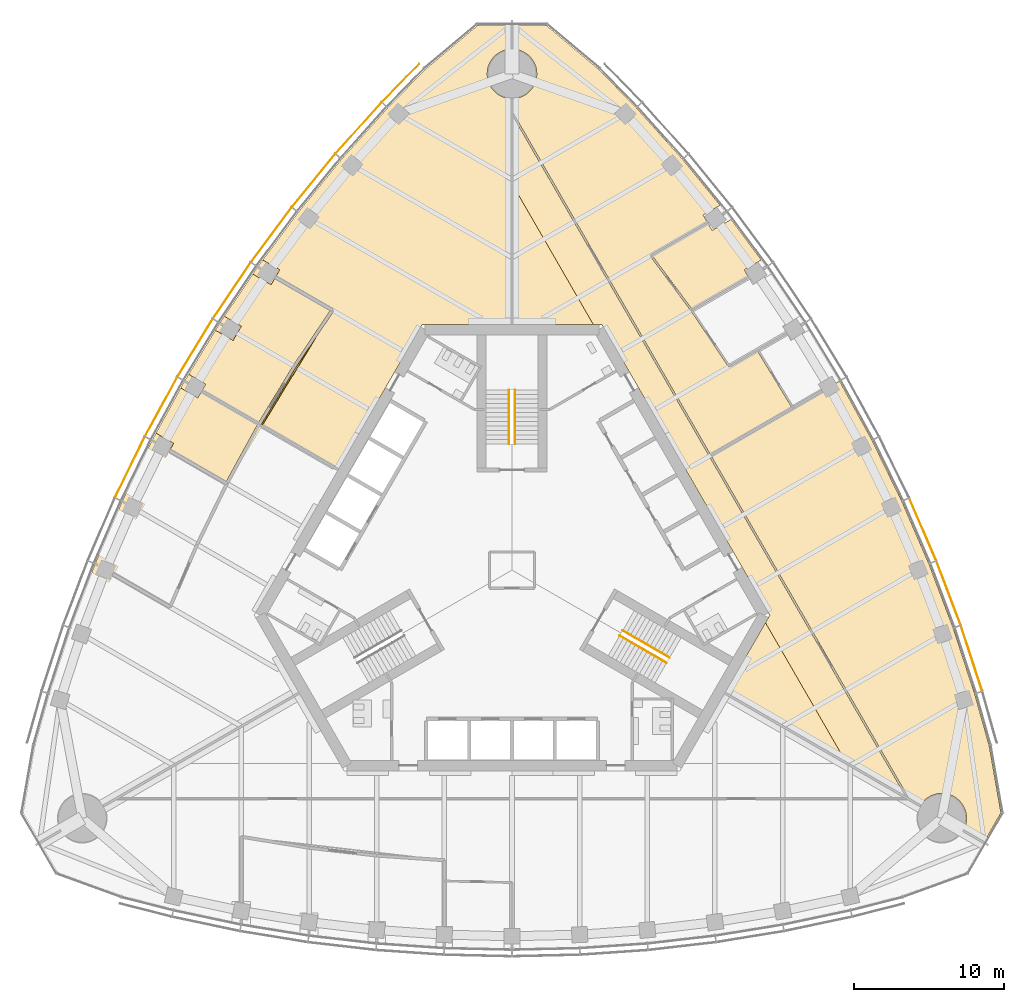
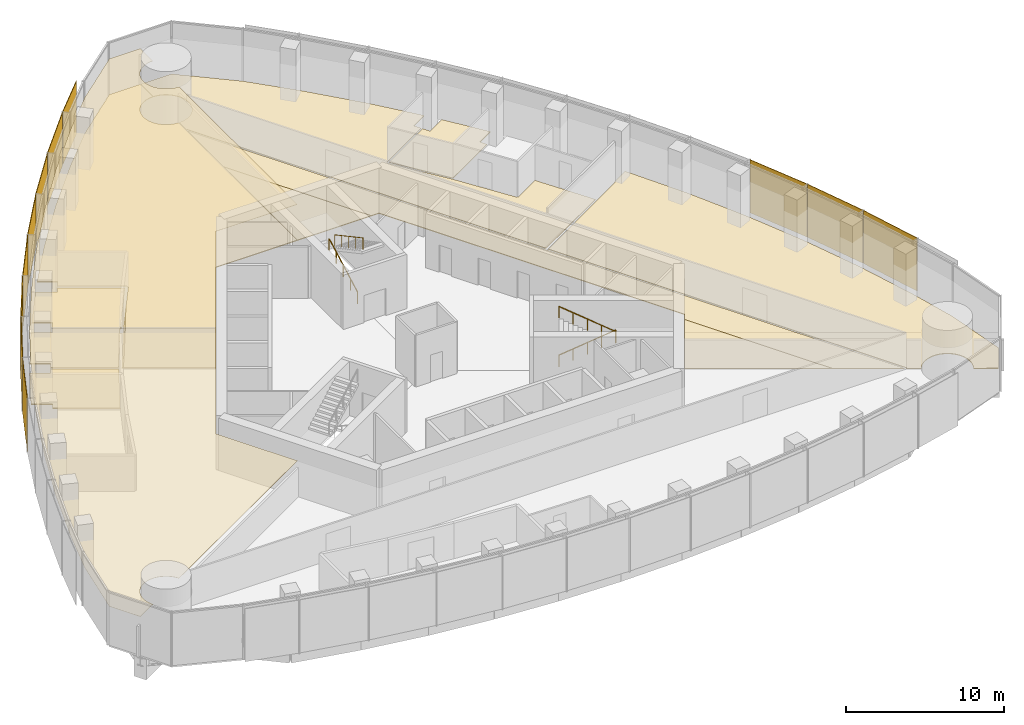
# One storey, part 16 of 19: 11 shading devices, 10 coverings, 4 railings.
"""IFC4 building model written with IfcOpenShell, lengths in metres."""

from ifc_helpers import new_model, si_unit, direction, frame, origin, origin_2d, place, context, subcontext, project, spatial, polyline, rectangle, circle, outline, extrude, material, layer, layer_set, type_object, element, save


model = new_model("IFC4")

# Units and contexts
model_context = context("Model", 3, precision=1e-05, world=origin(), true_north=direction((0.0, 1.0)))
body_context = subcontext(model_context, "Body", "Model", "MODEL_VIEW")
ifc_project = project(units=[si_unit("LENGTHUNIT", "METRE"), si_unit("AREAUNIT", "SQUARE_METRE"), si_unit("VOLUMEUNIT", "CUBIC_METRE"), si_unit("PLANEANGLEUNIT", "RADIAN"), si_unit("MASSUNIT", "GRAM", prefix="KILO")], contexts=[model_context])

# Site, building, storey
site_placement = place(None, origin())
site = spatial("IfcSite", under=ifc_project, at=site_placement, CompositionType="ELEMENT")
building_placement = place(site_placement, origin())
building = spatial("IfcBuilding", under=site, at=building_placement, Name="Trefoil Bronze Tower", CompositionType="ELEMENT")
storey_placement = place(building_placement, frame((0.0, 0.0, 227.5)))
storey = spatial("IfcBuildingStorey", under=building, at=storey_placement, Name="L52", CompositionType="ELEMENT", Elevation=227.5)

# Shading devices
ifc_material_1 = material(Name="Perforated bronze sheet", Category="bronze")
ifc_layer_1 = layer(ifc_material_1, 0.0400390625)
ifc_layer_set_1 = layer_set([ifc_layer_1], Name="Bronze solar screen panel")
shading_device_type = type_object("IfcShadingDeviceType", Name="Bronze solar screen panel", PredefinedType="SHUTTER", material=ifc_layer_set_1)
shading_device_1_placement = place(storey_placement, frame((30.5634765625, -5.86572265625, 0.050048828125), z_axis=(0.0, 0.0, 1.0), x_axis=(-0.310148591821, 0.950688093431, 0.0)))
element("IfcShadingDevice", 1, at=shading_device_1_placement, inside=storey, type_object=shading_device_type, Name="Solar screen CW-A L52 F2 bay 2", PredefinedType="SHUTTER", context=body_context, shape_type="SweptSolid", body=[
    extrude(rectangle(XDim=4.5693359375, YDim=0.0400390625, at=origin_2d()), origin(), (0.0, 0.0, 1.0), 4.10009765625),
])
shading_device_2_placement = place(storey_placement, frame((29.0341796875, -1.52392578125, 0.050048828125), z_axis=(0.0, 0.0, 1.0), x_axis=(-0.354233936517, 0.935156841508, 0.0)))
element("IfcShadingDevice", 2, at=shading_device_2_placement, inside=storey, type_object=shading_device_type, Name="Solar screen CW-A L52 F2 bay 3", PredefinedType="SHUTTER", context=body_context, shape_type="SweptSolid", body=[
    extrude(rectangle(XDim=4.529296875, YDim=0.0400390625, at=origin_2d()), origin(), (0.0, 0.0, 1.0), 4.10009765625),
])
shading_device_3_placement = place(storey_placement, frame((27.317626953125, 2.709716796875, 0.050048828125), z_axis=(0.0, 0.0, 1.0), x_axis=(-0.397220305764, 0.917723285467, 0.0)))
element("IfcShadingDevice", 3, at=shading_device_3_placement, inside=storey, type_object=shading_device_type, Name="Solar screen CW-A L52 F2 bay 4", PredefinedType="SHUTTER", context=body_context, shape_type="SweptSolid", body=[
    extrude(rectangle(XDim=4.5, YDim=0.0400390625, at=origin_2d()), origin(), (0.0, 0.0, 1.0), 4.10009765625),
])
shading_device_4_placement = place(storey_placement, frame((-7.40478515625, 32.40380859375, 0.050048828125), z_axis=(0.0, 0.0, 1.0), x_axis=(-0.698651812425, -0.715461840349, 0.0)))
element("IfcShadingDevice", 4, at=shading_device_4_placement, inside=storey, type_object=shading_device_type, Name="Solar screen CW-A L52 F3 bay 1", PredefinedType="SHUTTER", context=body_context, shape_type="SweptSolid", body=[
    extrude(rectangle(XDim=3.53369140625, YDim=0.0400390625, at=origin_2d()), origin(), (0.0, 0.0, 1.0), 4.10009765625),
])
shading_device_5_placement = place(storey_placement, frame((-10.20166015625, 29.401611328125, 0.050048828125), z_axis=(0.0, 0.0, 1.0), x_axis=(-0.668245744076, -0.743940606181, 0.0)))
element("IfcShadingDevice", 5, at=shading_device_5_placement, inside=storey, type_object=shading_device_type, Name="Solar screen CW-A L52 F3 bay 2", PredefinedType="SHUTTER", context=body_context, shape_type="SweptSolid", body=[
    extrude(rectangle(XDim=4.5693359375, YDim=0.0400390625, at=origin_2d()), origin(), (0.0, 0.0, 1.0), 4.10009765625),
])
shading_device_6_placement = place(storey_placement, frame((-13.197509765625, 25.90625, 0.050048828125), z_axis=(0.0, 0.0, 1.0), x_axis=(-0.63275261301, -0.774354008661, 0.0)))
element("IfcShadingDevice", 6, at=shading_device_6_placement, inside=storey, type_object=shading_device_type, Name="Solar screen CW-A L52 F3 bay 3", PredefinedType="SHUTTER", context=body_context, shape_type="SweptSolid", body=[
    extrude(rectangle(XDim=4.529296875, YDim=0.0400390625, at=origin_2d()), origin(), (0.0, 0.0, 1.0), 4.10009765625),
])
shading_device_7_placement = place(storey_placement, frame((-16.005615234375, 22.302734375, 0.050048828125), z_axis=(0.0, 0.0, 1.0), x_axis=(-0.596161525977, -0.802864518425, 0.0)))
element("IfcShadingDevice", 7, at=shading_device_7_placement, inside=storey, type_object=shading_device_type, Name="Solar screen CW-A L52 F3 bay 4", PredefinedType="SHUTTER", context=body_context, shape_type="SweptSolid", body=[
    extrude(rectangle(XDim=4.5, YDim=0.0400390625, at=origin_2d()), origin(), (0.0, 0.0, 1.0), 4.10009765625),
])
shading_device_8_placement = place(storey_placement, frame((-18.6298828125, 18.59326171875, 0.050048828125), z_axis=(0.0, 0.0, 1.0), x_axis=(-0.558493494706, -0.829508900718, 0.0)))
element("IfcShadingDevice", 8, at=shading_device_8_placement, inside=storey, type_object=shading_device_type, Name="Solar screen CW-A L52 F3 bay 5", PredefinedType="SHUTTER", context=body_context, shape_type="SweptSolid", body=[
    extrude(rectangle(XDim=4.480712890625, YDim=0.0400390625, at=origin_2d()), origin(), (0.0, 0.0, 1.0), 4.10009765625),
])
for number, where, z_axis, x_axis, name in (
    (9, (-21.07275390625, 14.77880859375, 0.050048828125), (0.0, 0.0, 1.0), (-0.519762112739, -0.854311035959, 0.0), "Solar screen CW-A L52 F3 bay 6"),
    (10, (-23.3349609375, 10.860107421875, 0.050048828125), (0.0, 0.0, 1.0), (-0.479974003504, -0.877282711536, 0.0), "Solar screen CW-A L52 F3 bay 7"),
):
    element("IfcShadingDevice", number, at=place(storey_placement, frame(where, z_axis=z_axis, x_axis=x_axis)), inside=storey, type_object=shading_device_type, Name=name, PredefinedType="SHUTTER", context=body_context, shape_type="SweptSolid", body=[
        extrude(rectangle(XDim=4.47119140625, YDim=0.0400390625, at=origin_2d()), origin(), (0.0, 0.0, 1.0), 4.10009765625),
    ])
shading_device_9_placement = place(storey_placement, frame((-25.4169921875, 6.83740234375, 0.050048828125), z_axis=(0.0, 0.0, 1.0), x_axis=(-0.439129033334, -0.898424004623, 0.0)))
element("IfcShadingDevice", 11, at=shading_device_9_placement, inside=storey, type_object=shading_device_type, Name="Solar screen CW-A L52 F3 bay 8", PredefinedType="SHUTTER", context=body_context, shape_type="SweptSolid", body=[
    extrude(rectangle(XDim=4.480712890625, YDim=0.0400390625, at=origin_2d()), origin(), (0.0, 0.0, 1.0), 4.10009765625),
])

# Railings
ifc_material_2 = material(Name="Steel handrail", Category="steel")
railing_type = type_object("IfcRailingType", Name="Handrail 900", PredefinedType="HANDRAIL", material=ifc_material_2)
railing_1_placement = place(storey_placement, frame((7.365966796875, -4.021728515625, 0.16162109375)))
element("IfcRailing", 12, at=railing_1_placement, inside=storey, type_object=railing_type, Name="Handrail ST1 flight 1 L52", PredefinedType="HANDRAIL", context=body_context, shape_type="SweptSolid", body=[
    extrude(circle(Radius=0.02392578125, at=origin_2d()), frame((0.0, 0.0, 0.8759765625), z_axis=(0.76250339821, -0.440245697338, 0.474101564745), x_axis=(0.500012057535, 0.866018442252, 0.0)), (0.0, 0.0, 1.0), 4.088623046875),
    extrude(circle(Radius=0.02099609375, at=origin_2d()), origin(), (0.0, 0.0, 1.0), 0.851806640625),
    extrude(circle(Radius=0.02099609375, at=origin_2d()), frame((0.779296875, -0.449951171875, 0.484619140625)), (0.0, 0.0, 1.0), 0.851806640625),
    extrude(circle(Radius=0.02099609375, at=origin_2d()), frame((1.558837890625, -0.89990234375, 0.96923828125)), (0.0, 0.0, 1.0), 0.851806640625),
    extrude(circle(Radius=0.02099609375, at=origin_2d()), frame((2.33837890625, -1.35009765625, 1.453857421875)), (0.0, 0.0, 1.0), 0.851806640625),
    extrude(circle(Radius=0.02099609375, at=origin_2d()), frame((3.11767578125, -1.800048828125, 1.9384765625)), (0.0, 0.0, 1.0), 0.851806640625),
])
railing_2_placement = place(storey_placement, frame((10.28369140625, -6.168212890625, 2.261474609375)))
element("IfcRailing", 13, at=railing_2_placement, inside=storey, type_object=railing_type, Name="Handrail ST1 flight 2 L52", PredefinedType="HANDRAIL", context=body_context, shape_type="SweptSolid", body=[
    extrude(circle(Radius=0.02392578125, at=origin_2d()), frame((0.0, 0.0, 0.8759765625), z_axis=(-0.76250339821, 0.440245697338, 0.474101564745), x_axis=(-0.500012057535, -0.866018442252, 0.0)), (0.0, 0.0, 1.0), 4.088623046875),
    extrude(circle(Radius=0.02099609375, at=origin_2d()), origin(), (0.0, 0.0, 1.0), 0.851806640625),
    extrude(circle(Radius=0.02099609375, at=origin_2d()), frame((-0.779296875, 0.449951171875, 0.484619140625)), (0.0, 0.0, 1.0), 0.851806640625),
    extrude(circle(Radius=0.02099609375, at=origin_2d()), frame((-1.558837890625, 0.89990234375, 0.96923828125)), (0.0, 0.0, 1.0), 0.851806640625),
    extrude(circle(Radius=0.02099609375, at=origin_2d()), frame((-2.33837890625, 1.35009765625, 1.453857421875)), (0.0, 0.0, 1.0), 0.851806640625),
    extrude(circle(Radius=0.02099609375, at=origin_2d()), frame((-3.11767578125, 1.800048828125, 1.9384765625)), (0.0, 0.0, 1.0), 0.851806640625),
])
railing_3_placement = place(storey_placement, frame((-0.199951171875, 8.389892578125, 0.16162109375)))
element("IfcRailing", 14, at=railing_3_placement, inside=storey, type_object=railing_type, Name="Handrail ST2 flight 1 L52", PredefinedType="HANDRAIL", context=body_context, shape_type="SweptSolid", body=[
    extrude(circle(Radius=0.02392578125, at=origin_2d()), frame((0.0, 0.0, 0.8759765625), z_axis=(0.0, 0.880474934443, 0.474092701714), x_axis=(-1.0, 0.0, 0.0)), (0.0, 0.0, 1.0), 4.0888671875),
    extrude(circle(Radius=0.02099609375, at=origin_2d()), origin(), (0.0, 0.0, 1.0), 0.851806640625),
    extrude(circle(Radius=0.02099609375, at=origin_2d()), frame((0.0, 0.89990234375, 0.484619140625)), (0.0, 0.0, 1.0), 0.851806640625),
    extrude(circle(Radius=0.02099609375, at=origin_2d()), frame((0.0, 1.800048828125, 0.96923828125)), (0.0, 0.0, 1.0), 0.851806640625),
    extrude(circle(Radius=0.02099609375, at=origin_2d()), frame((0.0, 2.7001953125, 1.453857421875)), (0.0, 0.0, 1.0), 0.851806640625),
    extrude(circle(Radius=0.02099609375, at=origin_2d()), frame((0.0, 3.60009765625, 1.9384765625)), (0.0, 0.0, 1.0), 0.851806640625),
])
railing_4_placement = place(storey_placement, frame((0.199951171875, 11.989990234375, 2.261474609375)))
element("IfcRailing", 15, at=railing_4_placement, inside=storey, type_object=railing_type, Name="Handrail ST2 flight 2 L52", PredefinedType="HANDRAIL", context=body_context, shape_type="SweptSolid", body=[
    extrude(circle(Radius=0.02392578125, at=origin_2d()), frame((0.0, 0.0, 0.8759765625), z_axis=(0.0, -0.880474934443, 0.474092701714), x_axis=(1.0, 0.0, 0.0)), (0.0, 0.0, 1.0), 4.0888671875),
    extrude(circle(Radius=0.02099609375, at=origin_2d()), origin(), (0.0, 0.0, 1.0), 0.851806640625),
    extrude(circle(Radius=0.02099609375, at=origin_2d()), frame((0.0, -0.89990234375, 0.484619140625)), (0.0, 0.0, 1.0), 0.851806640625),
    extrude(circle(Radius=0.02099609375, at=origin_2d()), frame((0.0, -1.800048828125, 0.96923828125)), (0.0, 0.0, 1.0), 0.851806640625),
    extrude(circle(Radius=0.02099609375, at=origin_2d()), frame((0.0, -2.7001953125, 1.453857421875)), (0.0, 0.0, 1.0), 0.851806640625),
    extrude(circle(Radius=0.02099609375, at=origin_2d()), frame((0.0, -3.60009765625, 1.9384765625)), (0.0, 0.0, 1.0), 0.851806640625),
])

# Coverings
ifc_material_3 = material(Name="Acoustic ceiling panels", Category="mineral fibre")
ifc_layer_2 = layer(ifc_material_3, 0.02001953125)
ifc_layer_set_2 = layer_set([ifc_layer_2], Name="Office ceiling 20")
covering_type_1 = type_object("IfcCoveringType", Name="Office ceiling 20", PredefinedType="CEILING", material=ifc_layer_set_2)
covering_1_placement = place(storey_placement, frame((0.0, 0.0, 2.89990234375)))
element("IfcCovering", 16, at=covering_1_placement, inside=storey, type_object=covering_type_1, Name="Ceiling L52 Open-plan office F3", PredefinedType="CEILING", context=body_context, shape_type="SweptSolid", body=[
    extrude(outline(polyline([(-30.76318359375, -8.219482421875), (-29.3369140625, -3.846923828125), (-27.7216796875, 0.416748046875), (-25.92236328125, 4.573974609375), (-23.94140625, 8.62646484375), (-21.781005859375, 12.5751953125), (-19.44140625, 16.420654296875), (-16.92236328125, 20.162353515625), (-14.2216796875, 23.79931640625), (-11.3369140625, 27.329833984375), (-8.26318359375, 30.751708984375), (-5.7734375, 33.30126953125), (-2.280029296875, 36.232666015625), (-0.013671875, 36.232666015625), (-0.012939453125, 34.649658203125), (-0.0810546875, 34.64794921875), (-0.16162109375, 34.64208984375), (-0.2421875, 34.632080078125), (-0.322021484375, 34.618408203125), (-0.40087890625, 34.6005859375), (-0.47900390625, 34.5791015625), (-0.555908203125, 34.553466796875), (-0.63134765625, 34.5244140625), (-0.70556640625, 34.49169921875), (-0.77783203125, 34.455078125), (-0.848388671875, 34.415283203125), (-0.916748046875, 34.371826171875), (-0.98291015625, 34.3251953125), (-1.046630859375, 34.275390625), (-1.108154296875, 34.22265625), (-1.166748046875, 34.166748046875), (-1.22265625, 34.108154296875), (-1.275390625, 34.046630859375), (-1.3251953125, 33.98291015625), (-1.371826171875, 33.916748046875), (-1.415283203125, 33.848388671875), (-1.455078125, 33.77783203125), (-1.49169921875, 33.70556640625), (-1.5244140625, 33.63134765625), (-1.553466796875, 33.555908203125), (-1.5791015625, 33.47900390625), (-1.6005859375, 33.40087890625), (-1.618408203125, 33.322021484375), (-1.632080078125, 33.2421875), (-1.64208984375, 33.16162109375), (-1.64794921875, 33.0810546875), (-1.64990234375, 33.0), (-1.64794921875, 32.9189453125), (-1.64208984375, 32.83837890625), (-1.632080078125, 32.7578125), (-1.618408203125, 32.677978515625), (-1.6005859375, 32.59912109375), (-1.5791015625, 32.52099609375), (-1.553466796875, 32.444091796875), (-1.5244140625, 32.36865234375), (-1.49169921875, 32.29443359375), (-1.455078125, 32.22216796875), (-1.415283203125, 32.151611328125), (-1.371826171875, 32.083251953125), (-1.3251953125, 32.01708984375), (-1.275390625, 31.953369140625), (-1.22265625, 31.891845703125), (-1.166748046875, 31.833251953125), (-1.108154296875, 31.77734375), (-1.046630859375, 31.724609375), (-0.98291015625, 31.6748046875), (-0.916748046875, 31.628173828125), (-0.848388671875, 31.584716796875), (-0.77783203125, 31.544921875), (-0.70556640625, 31.50830078125), (-0.63134765625, 31.4755859375), (-0.555908203125, 31.446533203125), (-0.47900390625, 31.4208984375), (-0.40087890625, 31.3994140625), (-0.322021484375, 31.381591796875), (-0.2421875, 31.367919921875), (-0.16162109375, 31.35791015625), (-0.0810546875, 31.35205078125), (-0.01171875, 31.350341796875), (-0.006103515625, 16.35009765625), (-5.9755859375, 16.35009765625), (-17.147216796875, -3.0), (-14.16259765625, -8.169677734375), (-27.156005859375, -15.6650390625), (-27.206787109375, -15.583251953125), (-27.25341796875, -15.51708984375), (-27.303466796875, -15.453369140625), (-27.356201171875, -15.391845703125), (-27.412109375, -15.333251953125), (-27.470703125, -15.27734375), (-27.531982421875, -15.224609375), (-27.595947265625, -15.1748046875), (-27.662109375, -15.128173828125), (-27.730712890625, -15.084716796875), (-27.801025390625, -15.044921875), (-27.873291015625, -15.00830078125), (-27.947509765625, -14.9755859375), (-28.02294921875, -14.946533203125), (-28.099853515625, -14.9208984375), (-28.177978515625, -14.8994140625), (-28.2568359375, -14.881591796875), (-28.336669921875, -14.867919921875), (-28.4169921875, -14.85791015625), (-28.497802734375, -14.85205078125), (-28.578857421875, -14.85009765625), (-28.659912109375, -14.85205078125), (-28.740478515625, -14.85791015625), (-28.82080078125, -14.867919921875), (-28.900634765625, -14.881591796875), (-28.979736328125, -14.8994140625), (-29.057861328125, -14.9208984375), (-29.134765625, -14.946533203125), (-29.210205078125, -14.9755859375), (-29.2841796875, -15.00830078125), (-29.356689453125, -15.044921875), (-29.427001953125, -15.084716796875), (-29.49560546875, -15.128173828125), (-29.561767578125, -15.1748046875), (-29.62548828125, -15.224609375), (-29.68701171875, -15.27734375), (-29.74560546875, -15.333251953125), (-29.801513671875, -15.391845703125), (-29.854248046875, -15.453369140625), (-29.904052734375, -15.51708984375), (-29.95068359375, -15.583251953125), (-29.994140625, -15.651611328125), (-30.033935546875, -15.72216796875), (-30.0703125, -15.79443359375), (-30.103271484375, -15.86865234375), (-30.13232421875, -15.944091796875), (-30.15771484375, -16.02099609375), (-30.179443359375, -16.09912109375), (-30.197021484375, -16.177978515625), (-30.2109375, -16.2578125), (-30.220947265625, -16.33837890625), (-30.226806640625, -16.4189453125), (-30.228759765625, -16.5), (-30.226806640625, -16.5810546875), (-30.220947265625, -16.66162109375), (-30.2109375, -16.7421875), (-30.197021484375, -16.822021484375), (-30.179443359375, -16.90087890625), (-30.15771484375, -16.97900390625), (-30.13232421875, -17.055908203125), (-30.103271484375, -17.13134765625), (-30.0703125, -17.20556640625), (-30.033935546875, -17.27783203125), (-30.013916015625, -17.3134765625), (-31.385009765625, -18.1044921875), (-32.518310546875, -16.1416015625), (-31.7265625, -11.650634765625), (-30.76318359375, -8.219482421875)])), origin(), (0.0, 0.0, 1.0), 0.02001953125),
])
ifc_material_4 = material(Name="Raised access floor panels", Category="steel")
ifc_layer_3 = layer(ifc_material_4, 0.050048828125)
ifc_layer_set_3 = layer_set([ifc_layer_3], Name="Raised access floor 150")
covering_type_2 = type_object("IfcCoveringType", Name="Raised access floor 150", PredefinedType="FLOORING", material=ifc_layer_set_3)
covering_2_placement = place(storey_placement, frame((0.0, 0.0, 0.10009765625)))
element("IfcCovering", 17, at=covering_2_placement, inside=storey, type_object=covering_type_2, Name="Raised floor L52 Meeting room F2", PredefinedType="FLOORING", context=body_context, shape_type="SweptSolid", body=[
    extrude(outline(polyline([(16.5791015625, 20.624755859375), (15.445068359375, 19.97021484375), (15.701171875, 19.526611328125), (11.958984375, 17.3662109375), (9.330322265625, 20.906005859375), (13.0380859375, 23.046875), (13.304931640625, 22.584716796875), (14.577880859375, 23.319580078125), (16.5791015625, 20.624755859375)])), origin(), (0.0, 0.0, 1.0), 0.0498046875),
])
covering_3_placement = place(storey_placement, frame((0.0, 0.0, 0.10009765625)))
element("IfcCovering", 18, at=covering_3_placement, inside=storey, type_object=covering_type_2, Name="Raised floor L52 Corridor F2", PredefinedType="FLOORING", context=body_context, shape_type="SweptSolid", body=[
    extrude(outline(polyline([(0.011474609375, 30.2802734375), (26.229248046875, -15.13037109375), (22.247314453125, -12.833251953125), (16.858642578125, -3.5), (17.147216796875, -3.0), (5.9755859375, 16.35009765625), (5.398193359375, 16.35009765625), (0.009521484375, 25.683349609375), (0.011474609375, 30.2802734375)])), origin(), (0.0, 0.0, 1.0), 0.0498046875),
])
covering_4_placement = place(storey_placement, frame((0.0, 0.0, 0.10009765625)))
element("IfcCovering", 19, at=covering_4_placement, inside=storey, type_object=covering_type_2, Name="Raised floor L52 Open-plan office F2", PredefinedType="FLOORING", context=body_context, shape_type="SweptSolid", body=[
    extrude(outline(polyline([(27.156005859375, -15.6650390625), (26.322998046875, -15.1845703125), (26.380126953125, -15.151611328125), (13.26171875, 7.570068359375), (20.64501953125, 11.8330078125), (20.608154296875, 11.89697265625), (21.781494140625, 12.574462890625), (23.94140625, 8.62646484375), (25.92236328125, 4.573974609375), (27.7216796875, 0.416748046875), (29.3369140625, -3.846923828125), (30.76318359375, -8.219482421875), (31.7265625, -11.650634765625), (32.518310546875, -16.1416015625), (31.385009765625, -18.1044921875), (30.013916015625, -17.3134765625), (30.033935546875, -17.27783203125), (30.0703125, -17.20556640625), (30.103271484375, -17.13134765625), (30.13232421875, -17.055908203125), (30.15771484375, -16.97900390625), (30.179443359375, -16.90087890625), (30.197021484375, -16.822021484375), (30.2109375, -16.7421875), (30.220947265625, -16.66162109375), (30.226806640625, -16.5810546875), (30.228759765625, -16.5), (30.226806640625, -16.4189453125), (30.220947265625, -16.33837890625), (30.2109375, -16.2578125), (30.197021484375, -16.177978515625), (30.179443359375, -16.09912109375), (30.15771484375, -16.02099609375), (30.13232421875, -15.944091796875), (30.103271484375, -15.86865234375), (30.0703125, -15.79443359375), (30.033935546875, -15.72216796875), (29.994140625, -15.651611328125), (29.95068359375, -15.583251953125), (29.904052734375, -15.51708984375), (29.854248046875, -15.453369140625), (29.801513671875, -15.391845703125), (29.74560546875, -15.333251953125), (29.68701171875, -15.27734375), (29.62548828125, -15.224609375), (29.561767578125, -15.1748046875), (29.49560546875, -15.128173828125), (29.427001953125, -15.084716796875), (29.356689453125, -15.044921875), (29.2841796875, -15.00830078125), (29.210205078125, -14.9755859375), (29.134765625, -14.946533203125), (29.057861328125, -14.9208984375), (28.979736328125, -14.8994140625), (28.900634765625, -14.881591796875), (28.82080078125, -14.867919921875), (28.740478515625, -14.85791015625), (28.659912109375, -14.85205078125), (28.578857421875, -14.85009765625), (28.497802734375, -14.85205078125), (28.4169921875, -14.85791015625), (28.336669921875, -14.867919921875), (28.2568359375, -14.881591796875), (28.177978515625, -14.8994140625), (28.099853515625, -14.9208984375), (28.02294921875, -14.946533203125), (27.947509765625, -14.9755859375), (27.873291015625, -15.00830078125), (27.801025390625, -15.044921875), (27.730712890625, -15.084716796875), (27.662109375, -15.128173828125), (27.595947265625, -15.1748046875), (27.531982421875, -15.224609375), (27.470703125, -15.27734375), (27.412109375, -15.333251953125), (27.356201171875, -15.391845703125), (27.303466796875, -15.453369140625), (27.25341796875, -15.51708984375), (27.206787109375, -15.583251953125), (27.156005859375, -15.6650390625)])), origin(), (0.0, 0.0, 1.0), 0.0498046875),
])
covering_5_placement = place(storey_placement, frame((0.0, 0.0, 0.10009765625)))
element("IfcCovering", 20, at=covering_5_placement, inside=storey, type_object=covering_type_2, Name="Raised floor L52 Open-plan office F2", PredefinedType="FLOORING", context=body_context, shape_type="SweptSolid", body=[
    extrude(outline(polyline([(11.3369140625, 27.329833984375), (13.84130859375, 24.264892578125), (12.71142578125, 23.61279296875), (12.978271484375, 23.150634765625), (9.212158203125, 20.976318359375), (9.2421875, 20.92431640625), (9.19384765625, 20.888671875), (11.893798828125, 17.252685546875), (14.412109375, 13.51220703125), (14.4619140625, 13.545654296875), (14.491943359375, 13.493896484375), (16.33349609375, 14.556884765625), (18.602783203125, 10.826904296875), (13.186767578125, 7.699951171875), (0.068359375, 30.421630859375), (0.011474609375, 30.388671875), (0.01171875, 31.350341796875), (0.0810546875, 31.35205078125), (0.16162109375, 31.35791015625), (0.2421875, 31.367919921875), (0.322021484375, 31.381591796875), (0.40087890625, 31.3994140625), (0.47900390625, 31.4208984375), (0.555908203125, 31.446533203125), (0.63134765625, 31.4755859375), (0.70556640625, 31.50830078125), (0.77783203125, 31.544921875), (0.848388671875, 31.584716796875), (0.916748046875, 31.628173828125), (0.98291015625, 31.6748046875), (1.046630859375, 31.724609375), (1.108154296875, 31.77734375), (1.166748046875, 31.833251953125), (1.22265625, 31.891845703125), (1.275390625, 31.953369140625), (1.3251953125, 32.01708984375), (1.371826171875, 32.083251953125), (1.415283203125, 32.151611328125), (1.455078125, 32.22216796875), (1.49169921875, 32.29443359375), (1.5244140625, 32.36865234375), (1.553466796875, 32.444091796875), (1.5791015625, 32.52099609375), (1.6005859375, 32.59912109375), (1.618408203125, 32.677978515625), (1.632080078125, 32.7578125), (1.64208984375, 32.83837890625), (1.64794921875, 32.9189453125), (1.64990234375, 33.0), (1.64794921875, 33.0810546875), (1.64208984375, 33.16162109375), (1.632080078125, 33.2421875), (1.618408203125, 33.322021484375), (1.6005859375, 33.40087890625), (1.5791015625, 33.47900390625), (1.553466796875, 33.555908203125), (1.5244140625, 33.63134765625), (1.49169921875, 33.70556640625), (1.455078125, 33.77783203125), (1.415283203125, 33.848388671875), (1.371826171875, 33.916748046875), (1.3251953125, 33.98291015625), (1.275390625, 34.046630859375), (1.22265625, 34.108154296875), (1.166748046875, 34.166748046875), (1.108154296875, 34.22265625), (1.046630859375, 34.275390625), (0.98291015625, 34.3251953125), (0.916748046875, 34.371826171875), (0.848388671875, 34.415283203125), (0.77783203125, 34.455078125), (0.70556640625, 34.49169921875), (0.63134765625, 34.5244140625), (0.555908203125, 34.553466796875), (0.47900390625, 34.5791015625), (0.40087890625, 34.6005859375), (0.322021484375, 34.618408203125), (0.2421875, 34.632080078125), (0.16162109375, 34.64208984375), (0.0810546875, 34.64794921875), (0.012939453125, 34.649658203125), (0.013671875, 36.232666015625), (2.280029296875, 36.232666015625), (5.7734375, 33.30126953125), (8.26318359375, 30.751708984375), (11.3369140625, 27.329833984375)])), origin(), (0.0, 0.0, 1.0), 0.0498046875),
])
covering_6_placement = place(storey_placement, frame((0.0, 0.0, 0.10009765625)))
element("IfcCovering", 21, at=covering_6_placement, inside=storey, type_object=covering_type_2, Name="Raised floor L52 Open-plan office F2", PredefinedType="FLOORING", context=body_context, shape_type="SweptSolid", body=[
    extrude(outline(polyline([(0.009521484375, 25.683349609375), (5.398193359375, 16.35009765625), (0.006103515625, 16.35009765625), (0.009521484375, 25.683349609375)])), origin(), (0.0, 0.0, 1.0), 0.0498046875),
])
covering_7_placement = place(storey_placement, frame((0.0, 0.0, 0.10009765625)))
element("IfcCovering", 22, at=covering_7_placement, inside=storey, type_object=covering_type_2, Name="Raised floor L52 Open-plan office F2", PredefinedType="FLOORING", context=body_context, shape_type="SweptSolid", body=[
    extrude(outline(polyline([(22.247314453125, -12.833251953125), (14.16259765625, -8.169677734375), (16.858642578125, -3.5), (22.247314453125, -12.833251953125)])), origin(), (0.0, 0.0, 1.0), 0.0498046875),
])
covering_8_placement = place(storey_placement, frame((0.0, 0.0, 0.10009765625)))
element("IfcCovering", 23, at=covering_8_placement, inside=storey, type_object=covering_type_2, Name="Raised floor L52 Training room F3", PredefinedType="FLOORING", context=body_context, shape_type="SweptSolid", body=[
    extrude(outline(polyline([(-19.727294921875, 15.951171875), (-18.546875, 15.26953125), (-17.997314453125, 16.221435546875), (-19.1337890625, 16.877685546875), (-17.24267578125, 19.686767578125), (-16.01708984375, 18.979248046875), (-15.781005859375, 19.38818359375), (-12.08544921875, 17.25439453125), (-14.544921875, 13.6015625), (-14.4619140625, 13.545654296875), (-14.54736328125, 13.59765625), (-16.84912109375, 9.814453125), (-20.570068359375, 11.962890625), (-20.64501953125, 11.8330078125), (-16.924072265625, 9.6845703125), (-19.00048828125, 5.889404296875), (-22.716796875, 8.034912109375), (-22.766845703125, 7.9482421875), (-22.77197265625, 7.951416015625), (-22.497314453125, 8.42724609375), (-23.677734375, 9.10888671875), (-22.03369140625, 12.11376953125), (-20.895751953125, 11.456787109375), (-20.36962890625, 12.367919921875), (-21.507568359375, 13.02490234375), (-19.727294921875, 15.951171875)])), origin(), (0.0, 0.0, 1.0), 0.0498046875),
])
covering_9_placement = place(storey_placement, frame((0.0, 0.0, 0.10009765625)))
element("IfcCovering", 24, at=covering_9_placement, inside=storey, type_object=covering_type_2, Name="Raised floor L52 Training room F3", PredefinedType="FLOORING", context=body_context, shape_type="SweptSolid", body=[
    extrude(outline(polyline([(-16.583251953125, 9.660888671875), (-16.67578125, 9.71435546875), (-14.377685546875, 13.49169921875), (-13.074462890625, 15.427490234375), (-16.583251953125, 9.660888671875)])), origin(), (0.0, 0.0, 1.0), 0.0498046875),
])
covering_10_placement = place(storey_placement, frame((0.0, 0.0, 0.10009765625)))
element("IfcCovering", 25, at=covering_10_placement, inside=storey, type_object=covering_type_2, Name="Raised floor L52 Open-plan office F3", PredefinedType="FLOORING", context=body_context, shape_type="SweptSolid", body=[
    extrude(outline(polyline([(-0.01171875, 31.350341796875), (-0.006103515625, 16.35009765625), (-5.9755859375, 16.35009765625), (-11.560791015625, 6.67578125), (-11.569580078125, 6.680908203125), (-11.53271484375, 6.7451171875), (-16.583251953125, 9.660888671875), (-13.074462890625, 15.427490234375), (-11.859619140625, 17.231689453125), (-11.942626953125, 17.287353515625), (-11.892578125, 17.3740234375), (-15.68115234375, 19.561279296875), (-15.445068359375, 19.97021484375), (-16.5791015625, 20.624755859375), (-14.2216796875, 23.79931640625), (-11.3369140625, 27.329833984375), (-8.26318359375, 30.751708984375), (-5.7734375, 33.30126953125), (-2.280029296875, 36.232666015625), (-0.013671875, 36.232666015625), (-0.012939453125, 34.649658203125), (-0.0810546875, 34.64794921875), (-0.16162109375, 34.64208984375), (-0.2421875, 34.632080078125), (-0.322021484375, 34.618408203125), (-0.40087890625, 34.6005859375), (-0.47900390625, 34.5791015625), (-0.555908203125, 34.553466796875), (-0.63134765625, 34.5244140625), (-0.70556640625, 34.49169921875), (-0.77783203125, 34.455078125), (-0.848388671875, 34.415283203125), (-0.916748046875, 34.371826171875), (-0.98291015625, 34.3251953125), (-1.046630859375, 34.275390625), (-1.108154296875, 34.22265625), (-1.166748046875, 34.166748046875), (-1.22265625, 34.108154296875), (-1.275390625, 34.046630859375), (-1.3251953125, 33.98291015625), (-1.371826171875, 33.916748046875), (-1.415283203125, 33.848388671875), (-1.455078125, 33.77783203125), (-1.49169921875, 33.70556640625), (-1.5244140625, 33.63134765625), (-1.553466796875, 33.555908203125), (-1.5791015625, 33.47900390625), (-1.6005859375, 33.40087890625), (-1.618408203125, 33.322021484375), (-1.632080078125, 33.2421875), (-1.64208984375, 33.16162109375), (-1.64794921875, 33.0810546875), (-1.64990234375, 33.0), (-1.64794921875, 32.9189453125), (-1.64208984375, 32.83837890625), (-1.632080078125, 32.7578125), (-1.618408203125, 32.677978515625), (-1.6005859375, 32.59912109375), (-1.5791015625, 32.52099609375), (-1.553466796875, 32.444091796875), (-1.5244140625, 32.36865234375), (-1.49169921875, 32.29443359375), (-1.455078125, 32.22216796875), (-1.415283203125, 32.151611328125), (-1.371826171875, 32.083251953125), (-1.3251953125, 32.01708984375), (-1.275390625, 31.953369140625), (-1.22265625, 31.891845703125), (-1.166748046875, 31.833251953125), (-1.108154296875, 31.77734375), (-1.046630859375, 31.724609375), (-0.98291015625, 31.6748046875), (-0.916748046875, 31.628173828125), (-0.848388671875, 31.584716796875), (-0.77783203125, 31.544921875), (-0.70556640625, 31.50830078125), (-0.63134765625, 31.4755859375), (-0.555908203125, 31.446533203125), (-0.47900390625, 31.4208984375), (-0.40087890625, 31.3994140625), (-0.322021484375, 31.381591796875), (-0.2421875, 31.367919921875), (-0.16162109375, 31.35791015625), (-0.0810546875, 31.35205078125), (-0.01171875, 31.350341796875)])), origin(), (0.0, 0.0, 1.0), 0.0498046875),
])

save(model, "model.ifc")
